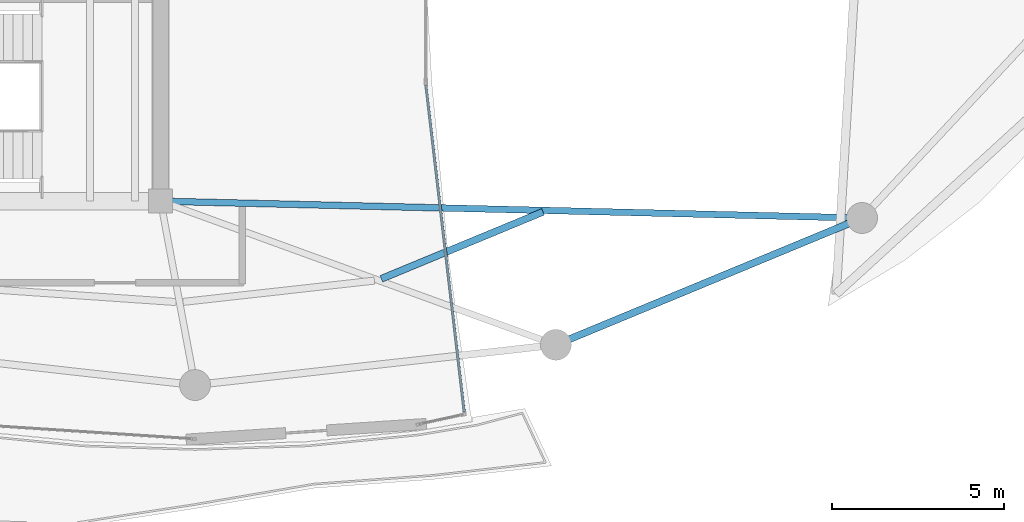
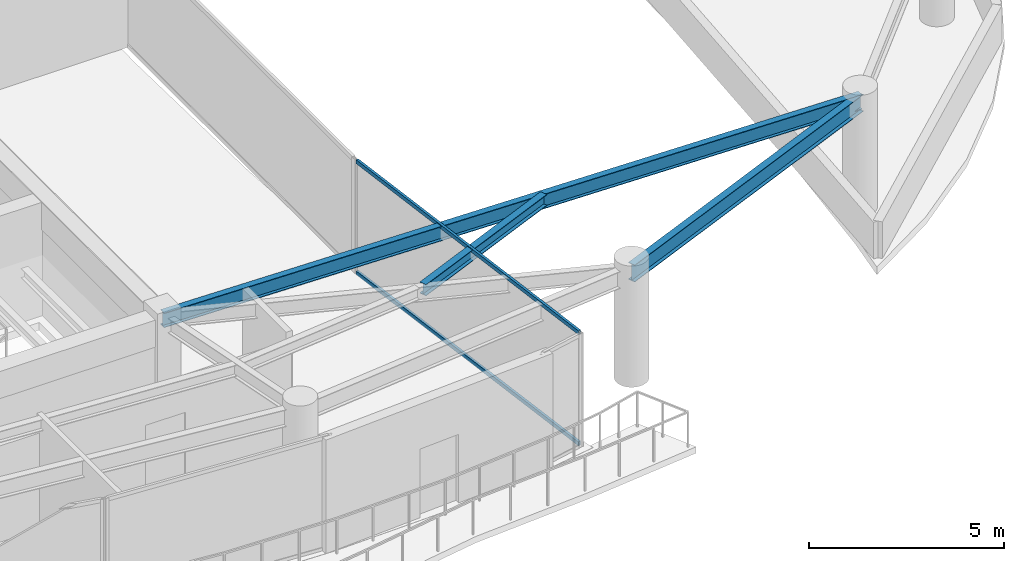
# One storey, part 11 of 23: 3 beams, 2 members, 1 element without a shape of its own.
"""IFC4 building model written with IfcOpenShell, lengths in metres."""

from ifc_helpers import new_model, si_unit, direction, frame, origin, origin_2d, place, context, subcontext, project, spatial, hollow_rectangle, i_section, extrude, material, layer, layer_set, material_profile, profile_set, type_object, element, aggregate, save


model = new_model("IFC4")

# Units and contexts
model_context = context("Model", 3, precision=1e-05, world=origin(), true_north=direction((0.0, 1.0)))
body_context = subcontext(model_context, "Body", "Model", "MODEL_VIEW")
ifc_project = project(units=[si_unit("LENGTHUNIT", "METRE"), si_unit("AREAUNIT", "SQUARE_METRE"), si_unit("VOLUMEUNIT", "CUBIC_METRE"), si_unit("PLANEANGLEUNIT", "RADIAN"), si_unit("MASSUNIT", "GRAM", prefix="KILO")], contexts=[model_context])

# Site, building, storey
site_placement = place(None, origin())
site = spatial("IfcSite", under=ifc_project, at=site_placement, CompositionType="ELEMENT")
building_placement = place(site_placement, origin())
building = spatial("IfcBuilding", under=site, at=building_placement, Name="Kazevale Care Tower and Concert Hall", CompositionType="ELEMENT")
storey_placement = place(building_placement, frame((0.0, 0.0, 270.0)))
storey = spatial("IfcBuildingStorey", under=building, at=storey_placement, Name="L71", CompositionType="ELEMENT", Elevation=270.0)

# Curtain wall, members
ifc_material_1 = material(Name="Aluminium 6063-T6 and Low-E Glass", Category="aluminium")
ifc_layer = layer(ifc_material_1, 0.179931640625)
ifc_layer_set = layer_set([ifc_layer], Name="Aluminium 6063-T6 and Low-E Glass")
curtain_wall_type = type_object("IfcCurtainWallType", Name="Sheltered Concave Balcony Curtain Wall CW-5", PredefinedType="NOTDEFINED", material=ifc_layer_set)
curtain_wall_placement = place(storey_placement, origin())
curtain_wall = element("IfcCurtainWall", 1, at=curtain_wall_placement, inside=storey, type_object=curtain_wall_type, Name="cw:L71:f15", PredefinedType="NOTDEFINED")
ifc_material_2 = material(Name="Aluminium 6063-T6", Category="aluminium")
ifc_material_profile_1 = material_profile(ifc_material_2, hollow_rectangle(XDim=0.074951171875, YDim=0.1201171875, WallThickness=0.00390625, at=origin_2d()), Name="ALU75x120x4")
ifc_profile_set_1 = profile_set([ifc_material_profile_1], Name="Aluminium 6063-T6")
member_type = type_object("IfcMemberType", Name="CW-5 Transom ALU75x120x4", PredefinedType="USERDEFINED", material=ifc_profile_set_1)
member_1_placement = place(storey_placement, frame((51.720703125, 26.967529296875, 0.03759765625), z_axis=(0.116501858152, -0.993190473699, 0.0), x_axis=(0.993190473699, 0.116501858152, 0.0)))
member_1 = element("IfcMember", 2, at=member_1_placement, type_object=member_type, Name="CW-5 transom 1.1", ObjectType="TRANSOM", PredefinedType="USERDEFINED", context=body_context, shape_type="SweptSolid", body=[
    extrude(hollow_rectangle(XDim=0.074951171875, YDim=0.1201171875, WallThickness=0.00390625, at=origin_2d()), origin(), (0.0, 0.0, 1.0), 9.55810546875),
])
member_2_placement = place(storey_placement, frame((51.720703125, 26.967529296875, 3.5224609375), z_axis=(0.116501858152, -0.993190473699, 0.0), x_axis=(0.993190473699, 0.116501858152, 0.0)))
member_2 = element("IfcMember", 3, at=member_2_placement, type_object=member_type, Name="CW-5 transom 1.2", ObjectType="TRANSOM", PredefinedType="USERDEFINED", context=body_context, shape_type="SweptSolid", body=[
    extrude(hollow_rectangle(XDim=0.074951171875, YDim=0.1201171875, WallThickness=0.00390625, at=origin_2d()), origin(), (0.0, 0.0, 1.0), 9.55810546875),
])
aggregate(curtain_wall, [member_1, member_2])

# Beams
ifc_material_3 = material(Name="Steel ASTM A572 Gr 50", Category="steel")
ifc_material_profile_2 = material_profile(ifc_material_3, i_section(OverallWidth=0.19091796875, OverallDepth=0.4599609375, WebThickness=0.010009765625, FlangeThickness=0.01611328125, at=origin_2d()), Name="W460x82")
ifc_profile_set_2 = profile_set([ifc_material_profile_2], Name="Steel ASTM A572 Gr 50")
beam_type_1 = type_object("IfcBeamType", Name="Radial Floor Beam W460x82", PredefinedType="BEAM", material=ifc_profile_set_2)
beam_1_placement = place(storey_placement, frame((44.0, 23.60009765625, 3.330078125), z_axis=(0.999711945342, -0.024000548742, 0.0), x_axis=(0.024000548742, 0.999711945342, 0.0)))
element("IfcBeam", 4, at=beam_1_placement, inside=storey, type_object=beam_type_1, Name="beam:L71:rad:15", PredefinedType="BEAM", context=body_context, shape_type="SweptSolid", body=[
    extrude(i_section(OverallWidth=0.19091796875, OverallDepth=0.4599609375, WebThickness=0.010009765625, FlangeThickness=0.01611328125, at=origin_2d()), origin(), (0.0, 0.0, 1.0), 20.415771484375),
])
ifc_material_profile_3 = material_profile(ifc_material_3, i_section(OverallWidth=0.205078125, OverallDepth=0.35400390625, WebThickness=0.009521484375, FlangeThickness=0.016845703125, at=origin_2d()), Name="W360x79")
ifc_profile_set_3 = profile_set([ifc_material_profile_3], Name="Steel ASTM A572 Gr 50")
beam_type_2 = type_object("IfcBeamType", Name="Secondary Floor Joist W360x79", PredefinedType="JOIST", material=ifc_profile_set_3)
beam_2_placement = place(storey_placement, frame((50.422119140625, 21.341064453125, 3.383056640625), z_axis=(0.92389590915, 0.382643893268, 0.0), x_axis=(-0.382643893268, 0.92389590915, 0.0)))
element("IfcBeam", 5, at=beam_2_placement, inside=storey, type_object=beam_type_2, Name="beam:L71:joist:14", PredefinedType="JOIST", context=body_context, shape_type="SweptSolid", body=[
    extrude(i_section(OverallWidth=0.205078125, OverallDepth=0.35400390625, WebThickness=0.009521484375, FlangeThickness=0.016845703125, at=origin_2d()), origin(), (0.0, 0.0, 1.0), 5.093505859375),
])
ifc_material_profile_4 = material_profile(ifc_material_3, i_section(OverallWidth=0.208984375, OverallDepth=0.532958984375, WebThickness=0.01025390625, FlangeThickness=0.015625, at=origin_2d()), Name="W530x92")
ifc_profile_set_4 = profile_set([ifc_material_profile_4], Name="Steel ASTM A572 Gr 50")
beam_type_3 = type_object("IfcBeamType", Name="Upper Ring Beam W530x92", PredefinedType="BEAM", material=ifc_profile_set_4)
beam_3_placement = place(storey_placement, frame((55.5, 19.419921875, 3.29345703125), z_axis=(0.923894961945, 0.382646180293, 0.0), x_axis=(-0.382646180293, 0.923894961945, 0.0)))
element("IfcBeam", 6, at=beam_3_placement, inside=storey, type_object=beam_type_3, Name="beam:L71:ring:14", PredefinedType="BEAM", context=body_context, shape_type="SweptSolid", body=[
    extrude(i_section(OverallWidth=0.208984375, OverallDepth=0.532958984375, WebThickness=0.01025390625, FlangeThickness=0.015625, at=origin_2d()), origin(), (0.0, 0.0, 1.0), 9.643798828125),
])

save(model, "model.ifc")
